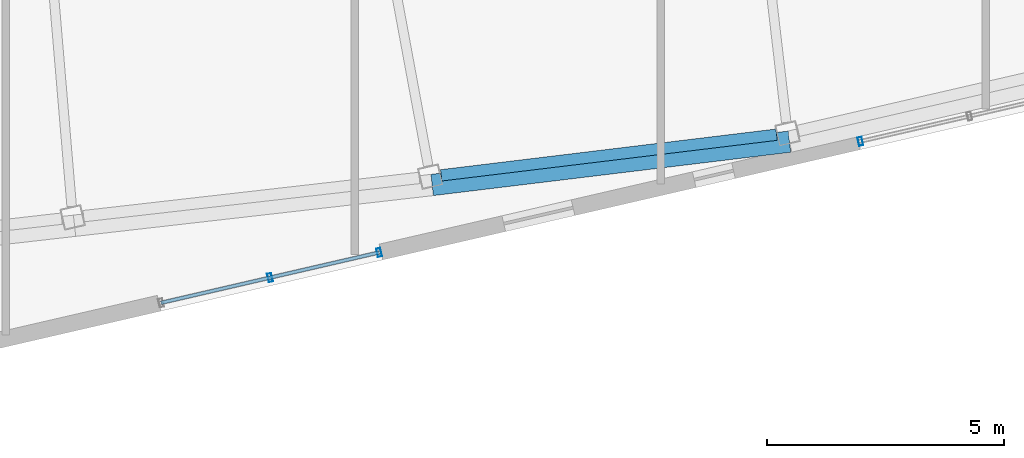
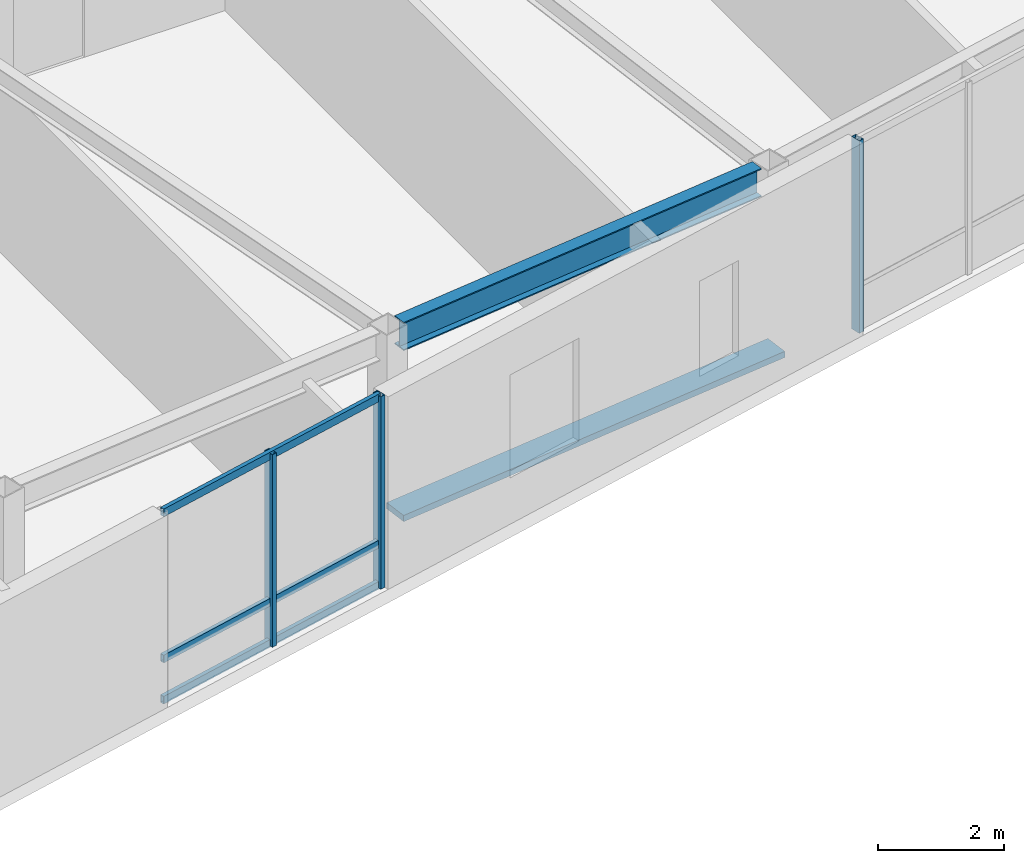
# One storey, part 8 of 22: 7 members, 1 beam, 2 elements without a shape of their own.
"""IFC4 building model written with IfcOpenShell, lengths in metres."""

from ifc_helpers import new_model, si_unit, direction, frame, origin, origin_2d, place, context, subcontext, project, spatial, rectangle, hollow_rectangle, i_section, extrude, material, layer, layer_set, material_profile, profile_set, type_object, element, aggregate, save


model = new_model("IFC4")

# Units and contexts
model_context = context("Model", 3, precision=1e-05, world=origin(), true_north=direction((0.0, 1.0)))
body_context = subcontext(model_context, "Body", "Model", "MODEL_VIEW")
ifc_project = project(units=[si_unit("LENGTHUNIT", "METRE"), si_unit("AREAUNIT", "SQUARE_METRE"), si_unit("VOLUMEUNIT", "CUBIC_METRE"), si_unit("PLANEANGLEUNIT", "RADIAN"), si_unit("MASSUNIT", "GRAM", prefix="KILO")], contexts=[model_context])

# Site, building, storey
site_placement = place(None, origin())
site = spatial("IfcSite", under=ifc_project, at=site_placement, CompositionType="ELEMENT")
building_placement = place(site_placement, origin())
building = spatial("IfcBuilding", under=site, at=building_placement, Name="Tavrogorsk Clinical Tower", CompositionType="ELEMENT")
storey_placement = place(building_placement, frame((0.0, 0.0, 313.0)))
storey = spatial("IfcBuildingStorey", under=building, at=storey_placement, Name="L73", CompositionType="ELEMENT", Elevation=313.0)

# Member
ifc_material_1 = material(Name="Anodised aluminium alloy AW-6063", Category="aluminium")
ifc_material_profile_1 = material_profile(ifc_material_1, rectangle(XDim=0.449951171875, YDim=0.1201171875, at=origin_2d()), Name="ALU-SUNSHADE-450x120")
ifc_profile_set_1 = profile_set([ifc_material_profile_1], Name="Anodised aluminium alloy AW-6063")
member_type_1 = type_object("IfcMemberType", Name="ChicagoSunshade_450x120", PredefinedType="USERDEFINED", material=ifc_profile_set_1)
member_1_placement = place(storey_placement, frame((-1.217041015625, -23.485107421875, 0.179931640625), z_axis=(0.992736345015, 0.120310221037, 0.0), x_axis=(-0.120310221037, 0.992736345015, 0.0)))
element("IfcMember", 1, at=member_1_placement, inside=storey, type_object=member_type_1, Name="L73 South Aluminium Sunshade S4", ObjectType="SUNSHADE", PredefinedType="USERDEFINED", context=body_context, shape_type="SweptSolid", body=[
    extrude(rectangle(XDim=0.449951171875, YDim=0.1201171875, at=origin_2d()), origin(), (0.0, 0.0, 1.0), 7.58544921875),
])

# Curtain wall, members
ifc_material_2 = material(Name="Anodised aluminium and triple IGU glazing", Category="aluminium")
ifc_layer = layer(ifc_material_2, 0.179931640625)
ifc_layer_set = layer_set([ifc_layer], Name="Anodised aluminium and triple IGU glazing")
curtain_wall_type = type_object("IfcCurtainWallType", Name="CW3_SouthSlot", PredefinedType="NOTDEFINED", material=ifc_layer_set)
curtain_wall_1_placement = place(storey_placement, origin())
curtain_wall_1 = element("IfcCurtainWall", 2, at=curtain_wall_1_placement, inside=storey, type_object=curtain_wall_type, Name="L73 Curtain Wall CW-L73-S-SLOT-1", PredefinedType="NOTDEFINED")
ifc_material_3 = material(Name="Anodised aluminium alloy AW-6060", Category="aluminium")
ifc_material_profile_2 = material_profile(ifc_material_3, hollow_rectangle(XDim=0.090087890625, YDim=0.179931640625, WallThickness=0.00634765625, at=origin_2d()), Name="RHS-180x90x6.3")
ifc_profile_set_2 = profile_set([ifc_material_profile_2], Name="Anodised aluminium alloy AW-6060")
member_type_2 = type_object("IfcMemberType", Name="CwMullion_180x90", PredefinedType="MULLION", material=ifc_profile_set_2)
member_2_placement = place(storey_placement, frame((-4.633544921875, -25.438232421875, 0.0), z_axis=(0.0, 0.0, 1.0), x_axis=(0.974370057377, 0.224951086434, 0.0)))
member_2 = element("IfcMember", 3, at=member_2_placement, type_object=member_type_2, Name="CW-L73-S-SLOT-1 Mullion 2", PredefinedType="MULLION", context=body_context, shape_type="SweptSolid", body=[
    extrude(hollow_rectangle(XDim=0.090087890625, YDim=0.179931640625, WallThickness=0.00634765625, at=origin_2d()), origin(), (0.0, 0.0, 1.0), 3.739990234375),
])
member_3_placement = place(storey_placement, frame((-2.3349609375, -24.90771484375, 0.0), z_axis=(0.0, 0.0, 1.0), x_axis=(0.974370057377, 0.224951086434, 0.0)))
member_3 = element("IfcMember", 4, at=member_3_placement, type_object=member_type_2, Name="CW-L73-S-SLOT-1 Mullion 3", PredefinedType="MULLION", context=body_context, shape_type="SweptSolid", body=[
    extrude(hollow_rectangle(XDim=0.090087890625, YDim=0.179931640625, WallThickness=0.00634765625, at=origin_2d()), origin(), (0.0, 0.0, 1.0), 3.739990234375),
])

# Curtain wall, member
curtain_wall_2_placement = place(storey_placement, origin())
curtain_wall_2 = element("IfcCurtainWall", 5, at=curtain_wall_2_placement, inside=storey, type_object=curtain_wall_type, Name="L73 Curtain Wall CW-L73-S-SLOT-2", PredefinedType="NOTDEFINED")
member_4_placement = place(storey_placement, frame((7.80810546875, -22.56591796875, 0.0), z_axis=(0.0, 0.0, 1.0), x_axis=(0.974370057377, 0.224951086434, 0.0)))
member_4 = element("IfcMember", 6, at=member_4_placement, type_object=member_type_2, Name="CW-L73-S-SLOT-2 Mullion 1", PredefinedType="MULLION", context=body_context, shape_type="SweptSolid", body=[
    extrude(hollow_rectangle(XDim=0.090087890625, YDim=0.179931640625, WallThickness=0.00634765625, at=origin_2d()), origin(), (0.0, 0.0, 1.0), 3.739990234375),
])
aggregate(curtain_wall_2, [member_4])

# Member
ifc_material_4 = material(Name="Anodised aluminium alloy AW-6060", Category="aluminium")
ifc_material_profile_3 = material_profile(ifc_material_4, hollow_rectangle(XDim=0.074951171875, YDim=0.14990234375, WallThickness=0.0048828125, at=origin_2d()), Name="RHS-150x75x5")
ifc_profile_set_3 = profile_set([ifc_material_profile_3], Name="Anodised aluminium alloy AW-6060")
member_type_3 = type_object("IfcMemberType", Name="CwTransom_150x75", PredefinedType="USERDEFINED", material=ifc_profile_set_3)
member_5_placement = place(storey_placement, frame((-6.93212890625, -25.968994140625, 0.050048828125), z_axis=(0.974372877948, 0.22493886885, 0.0), x_axis=(-0.22493886885, 0.974372877948, 0.0)))
member_5 = element("IfcMember", 7, at=member_5_placement, type_object=member_type_3, Name="CW-L73-S-SLOT-1 Transom 1", ObjectType="TRANSOM", PredefinedType="USERDEFINED", context=body_context, shape_type="SweptSolid", body=[
    extrude(hollow_rectangle(XDim=0.074951171875, YDim=0.14990234375, WallThickness=0.0048828125, at=origin_2d()), origin(), (0.0, 0.0, 1.0), 4.718017578125),
])

member_6_placement = place(storey_placement, frame((-6.93212890625, -25.968994140625, 0.85009765625), z_axis=(0.974372877948, 0.22493886885, 0.0), x_axis=(-0.22493886885, 0.974372877948, 0.0)))
member_6 = element("IfcMember", 8, at=member_6_placement, type_object=member_type_3, Name="CW-L73-S-SLOT-1 Transom 2", ObjectType="TRANSOM", PredefinedType="USERDEFINED", context=body_context, shape_type="SweptSolid", body=[
    extrude(hollow_rectangle(XDim=0.074951171875, YDim=0.14990234375, WallThickness=0.0048828125, at=origin_2d()), origin(), (0.0, 0.0, 1.0), 4.718017578125),
])

member_7_placement = place(storey_placement, frame((-6.93212890625, -25.968994140625, 3.68994140625), z_axis=(0.974372877948, 0.22493886885, 0.0), x_axis=(-0.22493886885, 0.974372877948, 0.0)))
member_7 = element("IfcMember", 9, at=member_7_placement, type_object=member_type_3, Name="CW-L73-S-SLOT-1 Transom 3", ObjectType="TRANSOM", PredefinedType="USERDEFINED", context=body_context, shape_type="SweptSolid", body=[
    extrude(hollow_rectangle(XDim=0.074951171875, YDim=0.14990234375, WallThickness=0.0048828125, at=origin_2d()), origin(), (0.0, 0.0, 1.0), 4.718017578125),
])

aggregate(curtain_wall_1, [member_2, member_3, member_5, member_6, member_7])

# Beam
ifc_material_5 = material(Name="Structural steel S390", Category="steel")
ifc_material_profile_4 = material_profile(ifc_material_5, i_section(OverallWidth=0.239990234375, OverallDepth=0.550048828125, WebThickness=0.013916015625, FlangeThickness=0.02197265625, at=origin_2d()), Name="B-550x240x14x22")
ifc_profile_set_4 = profile_set([ifc_material_profile_4], Name="Structural steel S390")
beam_type = type_object("IfcBeamType", Name="SpandrelBeam_B550", PredefinedType="SPANDREL", material=ifc_profile_set_4)
beam_placement = place(storey_placement, frame((-1.026123046875, -23.28173828125, 3.465087890625), z_axis=(0.992733657897, 0.120332391639, 0.0), x_axis=(-0.120332391639, 0.992733657897, 0.0)))
element("IfcBeam", 10, at=beam_placement, inside=storey, type_object=beam_type, Name="L73 Perimeter Spandrel S4-S5", PredefinedType="SPANDREL", context=body_context, shape_type="SweptSolid", body=[
    extrude(i_section(OverallWidth=0.239990234375, OverallDepth=0.550048828125, WebThickness=0.013916015625, FlangeThickness=0.02197265625, at=origin_2d()), origin(), (0.0, 0.0, 1.0), 7.119384765625),
])

save(model, "model.ifc")
